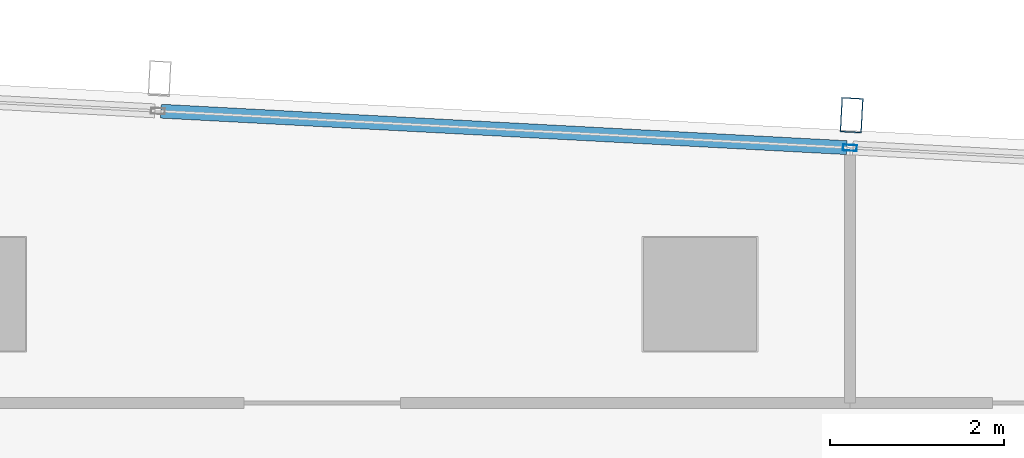
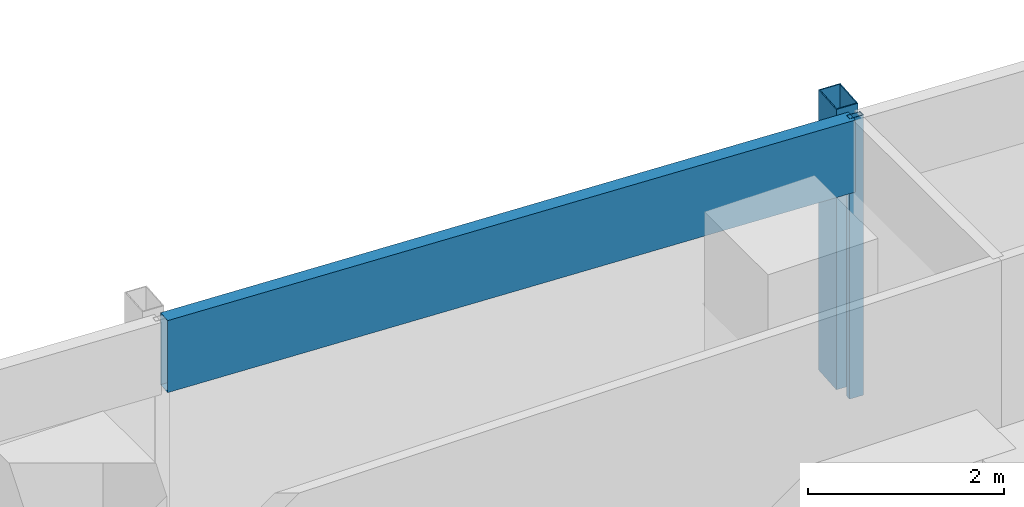
# One storey, part 19 of 29: 3 members, 1 element without a shape of its own.
"""IFC4 building model written with IfcOpenShell, lengths in metres."""

from ifc_helpers import new_model, si_unit, direction, frame, origin, origin_2d, place, context, subcontext, project, spatial, hollow_rectangle, extrude, material, material_profile, profile_set, type_object, element, aggregate, save


model = new_model("IFC4")

# Units and contexts
model_context = context("Model", 3, precision=1e-05, world=origin(), true_north=direction((0.0, 1.0)))
body_context = subcontext(model_context, "Body", "Model", "MODEL_VIEW")
ifc_project = project(units=[si_unit("LENGTHUNIT", "METRE"), si_unit("AREAUNIT", "SQUARE_METRE"), si_unit("VOLUMEUNIT", "CUBIC_METRE"), si_unit("PLANEANGLEUNIT", "RADIAN"), si_unit("MASSUNIT", "GRAM", prefix="KILO")], contexts=[model_context])

# Site, building, storey
site_placement = place(None, origin())
site = spatial("IfcSite", under=ifc_project, at=site_placement, CompositionType="ELEMENT")
building_placement = place(site_placement, origin())
building = spatial("IfcBuilding", under=site, at=building_placement, Name="Rekha Terrace Tower", CompositionType="ELEMENT")
storey_placement = place(building_placement, frame((0.0, 0.0, 276.35009765625)))
storey = spatial("IfcBuildingStorey", under=building, at=storey_placement, Name="L70", CompositionType="ELEMENT", Elevation=276.35009765625)

# Curtain wall, members
ifc_material_1 = material(Name="Aluminium framing", Category="aluminium")
curtain_wall_type = type_object("IfcCurtainWallType", Name="CW3 north unitised glazing", PredefinedType="USERDEFINED", material=ifc_material_1)
curtain_wall_placement = place(storey_placement, origin())
curtain_wall = element("IfcCurtainWall", 1, at=curtain_wall_placement, inside=storey, type_object=curtain_wall_type, Name="CW3 unitised curtain wall", ObjectType="UNITISED CURTAIN WALL", PredefinedType="USERDEFINED")
ifc_material_2 = material(Name="Steel S355 with fluorocarbon finish", Category="steel")
ifc_material_profile_1 = material_profile(ifc_material_2, hollow_rectangle(XDim=0.25, YDim=0.39990234375, WallThickness=0.012451171875, at=origin_2d()), Name="RHS400x250x12.5")
ifc_profile_set_1 = profile_set([ifc_material_profile_1], Name="Steel S355 with fluorocarbon finish")
member_type_1 = type_object("IfcMemberType", Name="BL1 facade blade RHS 400 x 250", PredefinedType="USERDEFINED", material=ifc_profile_set_1)
member_1_placement = place(storey_placement, frame((52.142822265625, 52.456298828125, 0.0), z_axis=(0.0, 0.0, 1.0), x_axis=(-0.998590068481, 0.053083661621, 0.0)))
member_1 = element("IfcMember", 2, at=member_1_placement, type_object=member_type_1, Name="Facade blade", ObjectType="FACADE BLADE", PredefinedType="USERDEFINED", context=body_context, shape_type="SweptSolid", body=[
    extrude(hollow_rectangle(XDim=0.25, YDim=0.39990234375, WallThickness=0.012451171875, at=origin_2d()), origin(), (0.0, 0.0, 1.0), 3.5),
])
ifc_material_3 = material(Name="Aluminium mullion section", Category="aluminium")
ifc_material_profile_2 = material_profile(ifc_material_3, hollow_rectangle(XDim=0.070068359375, YDim=0.159912109375, WallThickness=0.00390625, at=origin_2d()), Name="AL RHS 70x160")
ifc_profile_set_2 = profile_set([ifc_material_profile_2], Name="Aluminium mullion section")
member_type_2 = type_object("IfcMemberType", Name="CW3 mullion RHS 70 x 160", PredefinedType="MULLION", material=ifc_profile_set_2)
member_2_placement = place(storey_placement, frame((52.122802734375, 52.081787109375, 0.0), z_axis=(0.0, 0.0, 1.0), x_axis=(-0.053083275524, -0.998590089005, 0.0)))
member_2 = element("IfcMember", 3, at=member_2_placement, type_object=member_type_2, Name="CW3 mullion 2", PredefinedType="MULLION", context=body_context, shape_type="SweptSolid", body=[
    extrude(hollow_rectangle(XDim=0.070068359375, YDim=0.159912109375, WallThickness=0.00390625, at=origin_2d()), origin(), (0.0, 0.0, 1.0), 3.5),
])
ifc_material_4 = material(Name="Insulated aluminium spandrel box", Category="aluminium")
ifc_material_profile_3 = material_profile(ifc_material_4, hollow_rectangle(XDim=0.159912109375, YDim=0.89990234375, WallThickness=0.0029296875, at=origin_2d()), Name="AL SPANDREL BOX 160x900")
ifc_profile_set_3 = profile_set([ifc_material_profile_3], Name="Insulated aluminium spandrel box")
member_type_3 = type_object("IfcMemberType", Name="CW3 spandrel transom 160 x 900", PredefinedType="USERDEFINED", material=ifc_profile_set_3)
member_3_placement = place(storey_placement, frame((52.087890625, 52.08349609375, 3.0498046875), z_axis=(-0.998589741295, 0.053089816156, 0.0), x_axis=(-0.053089816156, -0.998589741295, 0.0)))
member_3 = element("IfcMember", 4, at=member_3_placement, type_object=member_type_3, Name="CW3 spandrel transom 2", ObjectType="TRANSOM", PredefinedType="USERDEFINED", context=body_context, shape_type="SweptSolid", body=[
    extrude(hollow_rectangle(XDim=0.159912109375, YDim=0.89990234375, WallThickness=0.0029296875, at=origin_2d()), origin(), (0.0, 0.0, 1.0), 7.891357421875),
])
aggregate(curtain_wall, [member_2, member_3, member_1])

save(model, "model.ifc")
